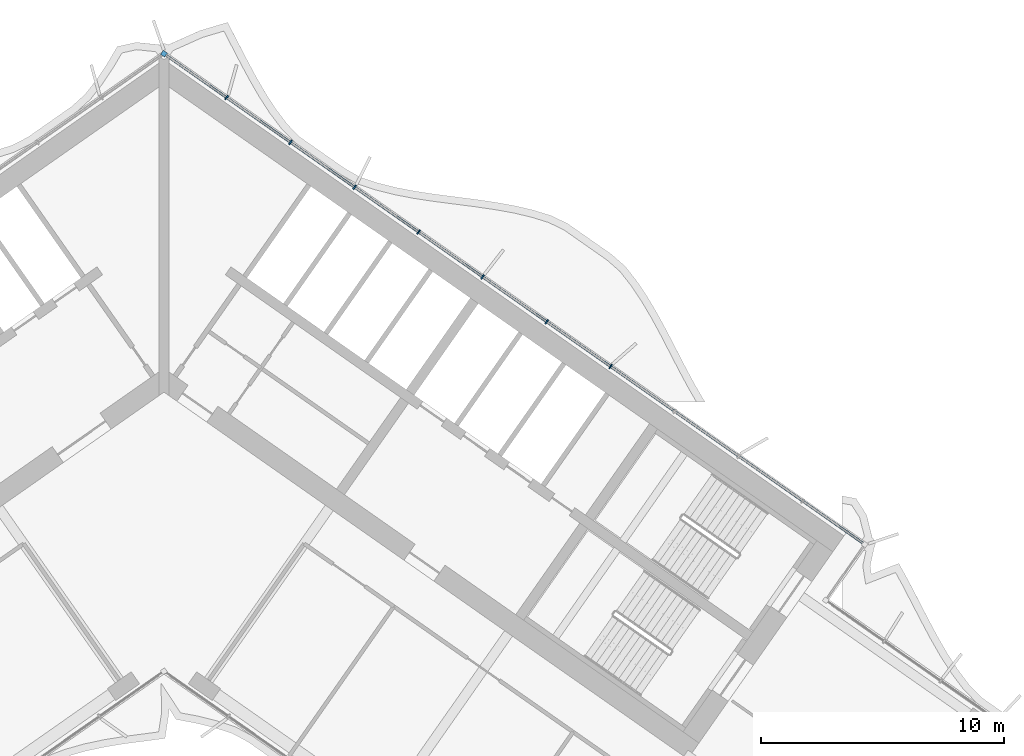
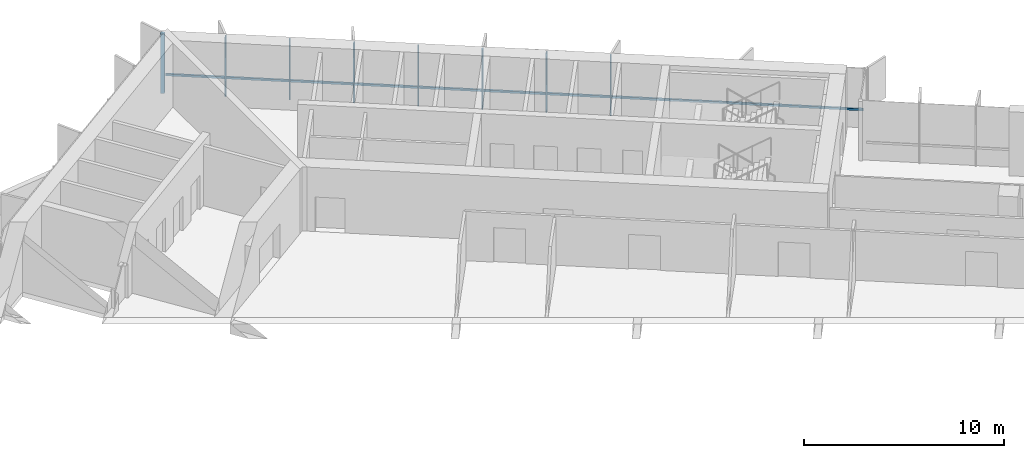
# One storey, part 8 of 21: 9 members, 1 element without a shape of its own.
"""IFC4 building model written with IfcOpenShell, lengths in metres."""

import ifcopenshell
import ifcopenshell.guid

model = None  # the IFC model being written
_history = None  # IfcOwnerHistory: only IFC2X3 demands one
_inside = {}  # id of a spatial element -> (the spatial element, [elements in it])
_under = {}  # id of a project, library or spatial element -> (it, [spatial elements below it])
_declared = {}  # id of a project -> (the project, [libraries it declares])
_typed = {}  # id of a type object -> (the type object, [elements of that type])
_made_of = {}  # id of a material, layer set ... -> (it, [elements and type objects made of it])


def new_model(schema):
    """Start an empty IFC model of exactly this schema.

    Asked for "IFC4X3", IfcOpenShell would pick the latest addendum, in which some entities
    have other attributes; the version numbers below select the first issue.
    IFC2X3 requires an IfcOwnerHistory on every rooted entity: one is made here for all.
    """
    global model, _history
    if schema == "IFC4X3":
        model = ifcopenshell.file(schema_version=(4, 3, 0, 0))
    else:
        model = ifcopenshell.file(schema=schema)
    _inside.clear()
    _under.clear()
    _declared.clear()
    _typed.clear()
    _made_of.clear()
    _history = None
    if model.schema == "IFC2X3":
        org = make("IfcOrganization", Name="unknown")
        user = make(
            "IfcPersonAndOrganization",
            ThePerson=make("IfcPerson", FamilyName="unknown"),
            TheOrganization=org,
        )
        app = make(
            "IfcApplication",
            ApplicationDeveloper=org,
            Version="unknown",
            ApplicationFullName="unknown",
            ApplicationIdentifier="unknown",
        )
        _history = make(
            "IfcOwnerHistory",
            OwningUser=user,
            OwningApplication=app,
            ChangeAction="ADDED",
            CreationDate=0,
        )
    return model


def make(cls, **values):
    """One entity of the class cls with the attributes given. An attribute that is None is left unset."""
    return model.create_entity(
        cls, **{name: value for name, value in values.items() if value is not None}
    )


def rooted(cls, **values):
    """An entity with a GlobalId (a new one), such as an element, a storey or a relation."""
    return make(cls, GlobalId=ifcopenshell.guid.new(), OwnerHistory=_history, **values)


def si_unit(unit_type, name, prefix=None):
    """IfcSIUnit, for example si_unit("LENGTHUNIT", "METRE", prefix="MILLI")."""
    return make("IfcSIUnit", UnitType=unit_type, Prefix=prefix, Name=name)


def assignment(units):
    """IfcUnitAssignment: the units of a project."""
    return None if units is None else make("IfcUnitAssignment", Units=units)


def point(xyz):
    """IfcCartesianPoint."""
    return None if xyz is None else make("IfcCartesianPoint", Coordinates=xyz)


def direction(xyz):
    """IfcDirection."""
    return None if xyz is None else make("IfcDirection", DirectionRatios=xyz)


def frame(location, z_axis=None, x_axis=None):
    """IfcAxis2Placement3D, a coordinate frame: its origin and axes. An axis left out is left unset."""
    return make(
        "IfcAxis2Placement3D",
        Location=point(location),
        Axis=direction(z_axis),
        RefDirection=direction(x_axis),
    )


def frame_2d(location, x_axis=None):
    """IfcAxis2Placement2D, a coordinate frame in the plane: its origin and x axis."""
    return make(
        "IfcAxis2Placement2D", Location=point(location), RefDirection=direction(x_axis)
    )


def origin():
    """The frame at (0, 0, 0) with its axes left unset."""
    return frame((0.0, 0.0, 0.0))


def origin_2d():
    """The frame at (0, 0) in the plane with its x axis left unset."""
    return frame_2d((0.0, 0.0))


def place(relative_to, where):
    """IfcLocalPlacement: puts the frame where relative to a parent placement (None: the world)."""
    return make(
        "IfcLocalPlacement", PlacementRelTo=relative_to, RelativePlacement=where
    )


def context(
    kind, dimensions, precision=None, world=None, true_north=None, identifier=None
):
    """IfcGeometricRepresentationContext, for example the 3D "Model" context."""
    return make(
        "IfcGeometricRepresentationContext",
        ContextIdentifier=identifier,
        ContextType=kind,
        CoordinateSpaceDimension=dimensions,
        Precision=precision,
        WorldCoordinateSystem=world,
        TrueNorth=true_north,
    )


def subcontext(parent, identifier, kind, view, scale=None):
    """IfcGeometricRepresentationSubContext, for example "Body" below "Model"."""
    return make(
        "IfcGeometricRepresentationSubContext",
        ContextIdentifier=identifier,
        ContextType=kind,
        ParentContext=parent,
        TargetScale=scale,
        TargetView=view,
    )


def project(units=None, contexts=None):
    """IfcProject with its units and contexts."""
    return rooted(
        "IfcProject",
        Name="project",
        RepresentationContexts=contexts,
        UnitsInContext=assignment(units),
    )


def spatial(cls, under=None, at=None, **own):
    """A site, building, storey or space (cls), placed at a placement, below another one or the project."""
    s = rooted(cls, ObjectPlacement=at, **own)
    if under is not None:
        _under.setdefault(under.id(), (under, []))[1].append(s)
    return s


def profile(cls, at=None, kind="AREA", **sizes):
    """A parametric profile (cls). Its sizes go by their IFC names, for example OverallWidth=200.0."""
    return make(cls, ProfileType=kind, Position=at, **sizes)


def rectangle(**sizes):
    """IfcRectangleProfileDef."""
    return profile("IfcRectangleProfileDef", **sizes)


def extrude(swept, where, along, depth):
    """IfcExtrudedAreaSolid: the profile swept, set in the frame where, extruded along a direction by depth."""
    return make(
        "IfcExtrudedAreaSolid",
        SweptArea=swept,
        Position=where,
        ExtrudedDirection=direction(along),
        Depth=depth,
    )


def shape(context_of_items, identifier, shape_type, items):
    """IfcShapeRepresentation: the items that make up one representation, for example the "Body"."""
    return make(
        "IfcShapeRepresentation",
        ContextOfItems=context_of_items,
        RepresentationIdentifier=identifier,
        RepresentationType=shape_type,
        Items=items,
    )


def material(Name=None, Category=None):
    """IfcMaterial."""
    return make("IfcMaterial", Name=Name, Category=Category)


def material_profile(
    of_material, cross_section, Name=None, Category=None, Priority=None
):
    """IfcMaterialProfile: a cross section and its material."""
    return make(
        "IfcMaterialProfile",
        Name=Name,
        Material=of_material,
        Profile=cross_section,
        Priority=Priority,
        Category=Category,
    )


def profile_set(profiles, Name=None, composite=None):
    """IfcMaterialProfileSet."""
    return make(
        "IfcMaterialProfileSet",
        Name=Name,
        MaterialProfiles=profiles,
        CompositeProfile=composite,
    )


def made_of(thing, what):
    """Note that an element or type object is made of a material, layer set ...; save() writes the relation."""
    if what is not None:
        _made_of.setdefault(what.id(), (what, []))[1].append(thing)
    return thing


def type_object(cls, material=None, **own):
    """A type object (cls), such as IfcWallType, which elements share."""
    return made_of(rooted(cls, **own), material)


def element(
    cls,
    number,
    at=None,
    inside=None,
    cuts=None,
    type_object=None,
    material=None,
    context=None,
    identifier="Body",
    shape_type=None,
    held_by="IfcProductDefinitionShape",
    body=None,
    shapes=None,
    **own,
):
    """One element of the class cls, such as IfcWall. Its Tag is "e" and its number.

    at: its placement. inside: the storey or other place that contains it. cuts: it is an
    opening in that element (IfcRelVoidsElement). A single representation is given by context,
    identifier, shape_type and body (its items); several are given by shapes. held_by: the class
    of the entity that holds the representations. save() writes the other relations.
    """
    e = rooted(cls, Tag="e%d" % number, ObjectPlacement=at, **own)
    if body is not None:
        shapes = [shape(context, identifier, shape_type, body)]
    if shapes is not None:
        e.Representation = make(held_by, Representations=shapes)
    if inside is not None:
        _inside.setdefault(inside.id(), (inside, []))[1].append(e)
    if cuts is not None:
        rooted(
            "IfcRelVoidsElement", RelatingBuildingElement=cuts, RelatedOpeningElement=e
        )
    if type_object is not None:
        _typed.setdefault(type_object.id(), (type_object, []))[1].append(e)
    return made_of(e, material)


def aggregate(whole, parts):
    """IfcRelAggregates: a whole, such as a stair, and the parts it consists of."""
    return rooted("IfcRelAggregates", RelatingObject=whole, RelatedObjects=parts)


def save(model, path):
    """Write the relations noted so far, then the file.

    IfcRelAggregates (storeys below a building ...), IfcRelContainedInSpatialStructure (elements
    in a storey), IfcRelDefinesByType, IfcRelAssociatesMaterial and IfcRelDeclares: one each for
    every whole, place, type object, material and project.
    """
    for whole, parts in _under.values():
        aggregate(whole, parts)
    for where, things in _inside.values():
        rooted(
            "IfcRelContainedInSpatialStructure",
            RelatedElements=things,
            RelatingStructure=where,
        )
    for kind, things in _typed.values():
        rooted("IfcRelDefinesByType", RelatedObjects=things, RelatingType=kind)
    for what, things in _made_of.values():
        rooted("IfcRelAssociatesMaterial", RelatedObjects=things, RelatingMaterial=what)
    for by, libraries in _declared.values():
        rooted("IfcRelDeclares", RelatingContext=by, RelatedDefinitions=libraries)
    model.write(path)


model = new_model("IFC4")

# Units and contexts
model_context = context("Model", 3, precision=1e-05, world=origin(), true_north=direction((0.0, 1.0)))
body_context = subcontext(model_context, "Body", "Model", "MODEL_VIEW")
ifc_project = project(units=[si_unit("LENGTHUNIT", "METRE"), si_unit("AREAUNIT", "SQUARE_METRE"), si_unit("VOLUMEUNIT", "CUBIC_METRE"), si_unit("PLANEANGLEUNIT", "RADIAN"), si_unit("MASSUNIT", "GRAM", prefix="KILO")], contexts=[model_context])

# Site, building, storey
site_placement = place(None, origin())
site = spatial("IfcSite", under=ifc_project, at=site_placement, CompositionType="ELEMENT")
building_placement = place(site_placement, origin())
building = spatial("IfcBuilding", under=site, at=building_placement, Name="Tel Ilan Convention Tower", CompositionType="ELEMENT")
storey_placement = place(building_placement, frame((0.0, 0.0, 139.800048828125)))
storey = spatial("IfcBuildingStorey", under=building, at=storey_placement, Name="L31", CompositionType="ELEMENT", Elevation=139.800048828125)

# Curtain wall, members
ifc_material_1 = material(Name="Aluminium, bronze anodised", Category="aluminium")
curtain_wall_type = type_object("IfcCurtainWallType", Name="CW2 STICK CURTAIN WALL, SPANDREL PANELS", PredefinedType="NOTDEFINED", material=ifc_material_1)
curtain_wall_placement = place(storey_placement, origin())
curtain_wall = element("IfcCurtainWall", 1, at=curtain_wall_placement, inside=storey, type_object=curtain_wall_type, Name="Curtain wall CW2-25.01", PredefinedType="NOTDEFINED")
ifc_material_2 = material(Name="Aluminium, bronze anodised", Category="aluminium")
ifc_material_profile_1 = material_profile(ifc_material_2, rectangle(XDim=0.199951171875, YDim=0.199951171875, at=origin_2d()), Name="CW CORNER MULLION 200x200")
ifc_profile_set_1 = profile_set([ifc_material_profile_1], Name="Aluminium, bronze anodised")
member_type_1 = type_object("IfcMemberType", Name="CW CORNER MULLION 200x200", PredefinedType="MULLION", material=ifc_profile_set_1)
member_1_placement = place(storey_placement, frame((0.0, 12.696044921875, 0.0), z_axis=(0.0, 0.0, 1.0), x_axis=(-0.819152044289, 0.573576436351, 0.0)))
member_1 = element("IfcMember", 2, at=member_1_placement, type_object=member_type_1, Name="Corner mullion", PredefinedType="MULLION", context=body_context, shape_type="SweptSolid", body=[
    extrude(rectangle(XDim=0.199951171875, YDim=0.199951171875, at=origin_2d()), origin(), (0.0, 0.0, 1.0), 3.619873046875),
])
ifc_material_3 = material(Name="Aluminium, bronze anodised", Category="aluminium")
ifc_material_profile_2 = material_profile(ifc_material_3, rectangle(XDim=0.06005859375, YDim=0.199951171875, at=origin_2d()), Name="CW MULLION 60x200")
ifc_profile_set_2 = profile_set([ifc_material_profile_2], Name="Aluminium, bronze anodised")
member_type_2 = type_object("IfcMemberType", Name="CW MULLION 60x200", PredefinedType="MULLION", material=ifc_profile_set_2)
member_2_placement = place(storey_placement, frame((18.37109375, -0.16748046875, 0.0), z_axis=(0.0, 0.0, 1.0), x_axis=(-0.819152044289, 0.573576436351, 0.0)))
member_2 = element("IfcMember", 3, at=member_2_placement, type_object=member_type_2, Name="Mullion", PredefinedType="MULLION", context=body_context, shape_type="SweptSolid", body=[
    extrude(rectangle(XDim=0.06005859375, YDim=0.199951171875, at=origin_2d()), origin(), (0.0, 0.0, 1.0), 3.619873046875),
])
member_3_placement = place(storey_placement, frame((15.73828125, 1.676025390625, 0.0), z_axis=(0.0, 0.0, 1.0), x_axis=(-0.819152044289, 0.573576436351, 0.0)))
member_3 = element("IfcMember", 4, at=member_3_placement, type_object=member_type_2, Name="Mullion", PredefinedType="MULLION", context=body_context, shape_type="SweptSolid", body=[
    extrude(rectangle(XDim=0.06005859375, YDim=0.199951171875, at=origin_2d()), origin(), (0.0, 0.0, 1.0), 3.619873046875),
])
member_4_placement = place(storey_placement, frame((13.105712890625, 3.519287109375, 0.0), z_axis=(0.0, 0.0, 1.0), x_axis=(-0.819152044289, 0.573576436351, 0.0)))
member_4 = element("IfcMember", 5, at=member_4_placement, type_object=member_type_2, Name="Mullion", PredefinedType="MULLION", context=body_context, shape_type="SweptSolid", body=[
    extrude(rectangle(XDim=0.06005859375, YDim=0.199951171875, at=origin_2d()), origin(), (0.0, 0.0, 1.0), 3.619873046875),
])
member_5_placement = place(storey_placement, frame((10.47314453125, 5.36279296875, 0.0), z_axis=(0.0, 0.0, 1.0), x_axis=(-0.819152044289, 0.573576436351, 0.0)))
member_5 = element("IfcMember", 6, at=member_5_placement, type_object=member_type_2, Name="Mullion", PredefinedType="MULLION", context=body_context, shape_type="SweptSolid", body=[
    extrude(rectangle(XDim=0.06005859375, YDim=0.199951171875, at=origin_2d()), origin(), (0.0, 0.0, 1.0), 3.619873046875),
])
member_6_placement = place(storey_placement, frame((7.840576171875, 7.2060546875, 0.0), z_axis=(0.0, 0.0, 1.0), x_axis=(-0.819152044289, 0.573576436351, 0.0)))
member_6 = element("IfcMember", 7, at=member_6_placement, type_object=member_type_2, Name="Mullion", PredefinedType="MULLION", context=body_context, shape_type="SweptSolid", body=[
    extrude(rectangle(XDim=0.06005859375, YDim=0.199951171875, at=origin_2d()), origin(), (0.0, 0.0, 1.0), 3.619873046875),
])
member_7_placement = place(storey_placement, frame((5.207763671875, 9.049560546875, 0.0), z_axis=(0.0, 0.0, 1.0), x_axis=(-0.819152044289, 0.573576436351, 0.0)))
member_7 = element("IfcMember", 8, at=member_7_placement, type_object=member_type_2, Name="Mullion", PredefinedType="MULLION", context=body_context, shape_type="SweptSolid", body=[
    extrude(rectangle(XDim=0.06005859375, YDim=0.199951171875, at=origin_2d()), origin(), (0.0, 0.0, 1.0), 3.619873046875),
])
member_8_placement = place(storey_placement, frame((2.5751953125, 10.892822265625, 0.0), z_axis=(0.0, 0.0, 1.0), x_axis=(-0.819152044289, 0.573576436351, 0.0)))
member_8 = element("IfcMember", 9, at=member_8_placement, type_object=member_type_2, Name="Mullion", PredefinedType="MULLION", context=body_context, shape_type="SweptSolid", body=[
    extrude(rectangle(XDim=0.06005859375, YDim=0.199951171875, at=origin_2d()), origin(), (0.0, 0.0, 1.0), 3.619873046875),
])
ifc_material_4 = material(Name="Aluminium, bronze anodised", Category="aluminium")
ifc_material_profile_3 = material_profile(ifc_material_4, rectangle(XDim=0.10009765625, YDim=0.1201171875, at=origin_2d()), Name="CW TRANSOM 100x120")
ifc_profile_set_3 = profile_set([ifc_material_profile_3], Name="Aluminium, bronze anodised")
member_type_3 = type_object("IfcMemberType", Name="CW TRANSOM 100x120", PredefinedType="USERDEFINED", material=ifc_profile_set_3)
member_9_placement = place(storey_placement, frame((28.737548828125, -7.42626953125, 1.099853515625), z_axis=(-0.819150201937, 0.573579067494, 0.0), x_axis=(-0.573579067494, -0.819150201937, 0.0)))
member_9 = element("IfcMember", 10, at=member_9_placement, type_object=member_type_3, Name="Transom", ObjectType="TRANSOM", PredefinedType="USERDEFINED", context=body_context, shape_type="SweptSolid", body=[
    extrude(rectangle(XDim=0.10009765625, YDim=0.1201171875, at=origin_2d()), origin(), (0.0, 0.0, 1.0), 34.9521484375),
])
aggregate(curtain_wall, [member_2, member_3, member_4, member_5, member_6, member_7, member_8, member_1, member_9])

save(model, "model.ifc")
